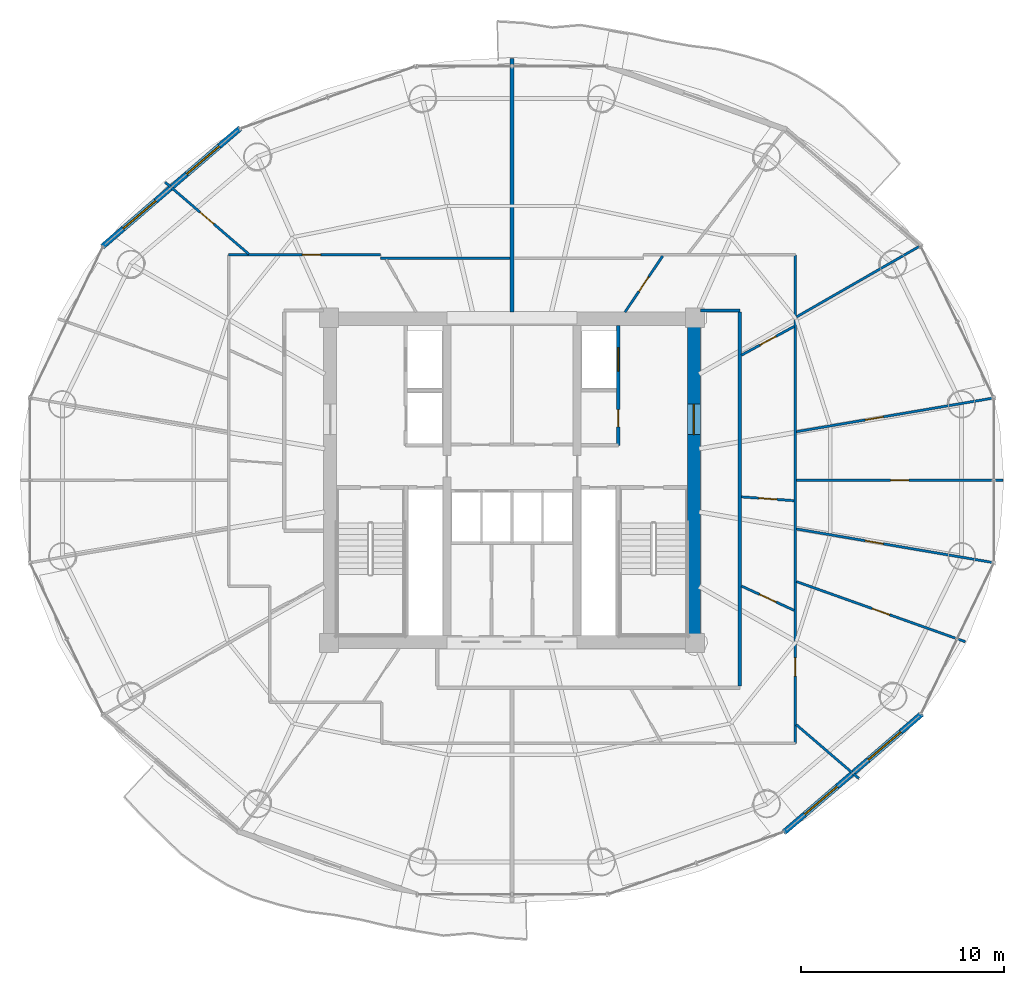
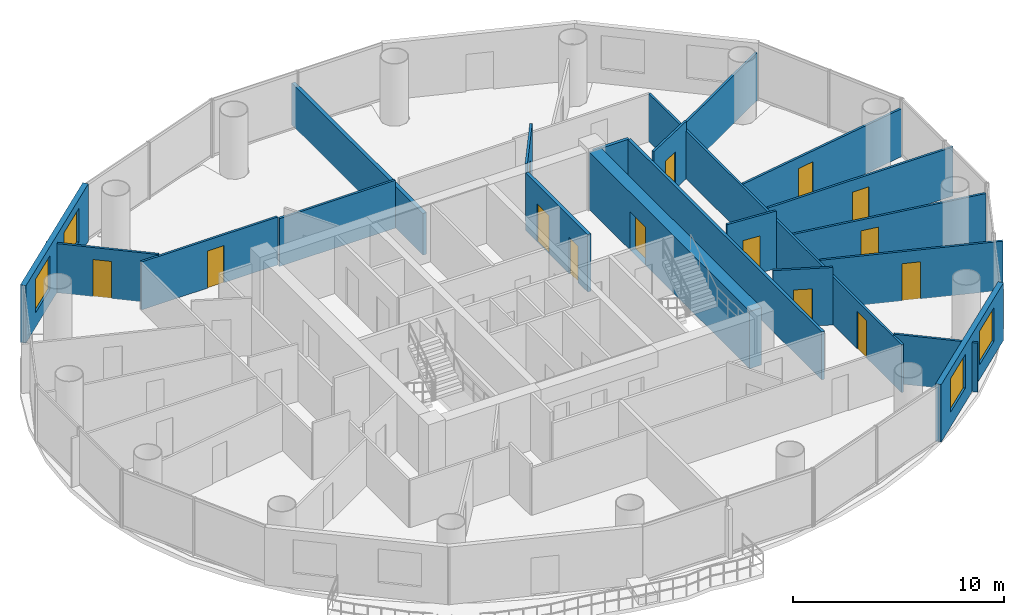
# One storey, part 22 of 26: 21 walls, 14 doors, 4 windows, 18 openings.
"""IFC4 building model written with IfcOpenShell, lengths in metres."""

from ifc_helpers import new_model, si_unit, direction, frame, frame_2d, origin, place, context, subcontext, project, spatial, rectangle, extrude, source, transform, mapped, material, layer, layer_set, type_object, element, fill, save


model = new_model("IFC4")

# Units and contexts
model_context = context("Model", 3, precision=1e-05, world=origin(), true_north=direction((-0.2419218956, 0.970295726276)))
body_context = subcontext(model_context, "Body", "Model", "MODEL_VIEW")
ifc_project = project(units=[si_unit("LENGTHUNIT", "METRE"), si_unit("AREAUNIT", "SQUARE_METRE"), si_unit("VOLUMEUNIT", "CUBIC_METRE"), si_unit("PLANEANGLEUNIT", "RADIAN"), si_unit("MASSUNIT", "GRAM", prefix="KILO")], contexts=[model_context])

# Site, building, storey
site_placement = place(None, origin())
site = spatial("IfcSite", under=ifc_project, at=site_placement, CompositionType="ELEMENT")
building_placement = place(site_placement, origin())
building = spatial("IfcBuilding", under=site, at=building_placement, Name="Cobrevalo Terracotta Tower", CompositionType="ELEMENT")
storey_placement = place(building_placement, frame((0.0, 0.0, 171.39990234375)))
storey = spatial("IfcBuildingStorey", under=building, at=storey_placement, Name="L45", CompositionType="ELEMENT", Elevation=171.39990234375)

# Wall, opening, door
ifc_material_1 = material(Name="Concrete C55", Category="concrete")
ifc_layer_1 = layer(ifc_material_1, 0.64990234375)
ifc_layer_set_1 = layer_set([ifc_layer_1], Name="Concrete C55")
wall_type_1 = type_object("IfcWallType", Name="Core shear wall 650 mm Concrete C55", PredefinedType="SHEAR", material=ifc_layer_set_1)
wall_1_placement = place(storey_placement, frame((46.949951171875, 19.175048828125, 0.0), z_axis=(0.0, 0.0, 1.0), x_axis=(0.0, 1.0, 0.0)))
wall_1 = element("IfcWall", 1, at=wall_1_placement, inside=storey, type_object=wall_type_1, Name="L45 east core shear wall", PredefinedType="SHEAR", context=body_context, shape_type="SweptSolid", body=[
    extrude(rectangle(XDim=15.25, YDim=0.64990234375, at=frame_2d((7.625, 0.0))), origin(), (0.0, 0.0, 1.0), 3.330078125),
])
opening_1_placement = place(wall_1_placement, frame((9.875, 0.0, 0.0)))
opening_1 = element("IfcOpeningElement", 2, at=opening_1_placement, cuts=wall_1, Name="Opening ID-14", PredefinedType="OPENING", context=body_context, shape_type="SweptSolid", body=[
    extrude(rectangle(XDim=1.5, YDim=2.199951171875, at=frame_2d((0.75, 1.10009765625))), frame((0.0, 0.3349609375, 0.0), z_axis=(0.0, -1.0, 0.0), x_axis=(1.0, 0.0, 0.0)), (0.0, 0.0, 1.0), 0.669921875),
])
ifc_material_2 = material(Name="Galvanized fire-rated steel", Category="steel")
door_type_1 = type_object("IfcDoorType", Name="Core cross-lobby double fire door 1500x2200 EI 90", OperationType="NOTDEFINED", PredefinedType="DOOR", material=ifc_material_2)
shared_shape_1 = source(origin(), body_context, "Body", "SweptSolid", [
    extrude(rectangle(XDim=1.5, YDim=2.199951171875, at=frame_2d((0.75, 1.10009765625))), frame((0.0, 0.02490234375, 0.0), z_axis=(0.0, -1.0, 0.0), x_axis=(1.0, 0.0, 0.0)), (0.0, 0.0, 1.0), 0.050048828125),
])
door_1_placement = place(opening_1_placement, frame((1.5, 0.0, 0.0), z_axis=(0.0, 0.0, 1.0), x_axis=(-1.0, 0.0, 0.0)))
door_1 = element("IfcDoor", 3, at=door_1_placement, inside=storey, type_object=door_type_1, Name="L45 east firefighting lobby entrance door", OperationType="DOUBLE_DOOR_SINGLE_SWING", OverallHeight=2.199951171875, OverallWidth=1.5, PredefinedType="DOOR", context=body_context, shape_type="MappedRepresentation", body=[
    mapped(shared_shape_1, transform((0.0, 0.0, 0.0), scale=1.0)),
])
fill(opening_1, door_1)

# Walls
ifc_material_3 = material(Name="Gypsum board on steel stud", Category="steel")
ifc_layer_2 = layer(ifc_material_3, 0.159912109375)
ifc_layer_set_2 = layer_set([ifc_layer_2], Name="Gypsum board on steel stud")
wall_type_2 = type_object("IfcWallType", Name="Fire-rated corridor acoustic partition wall 160 mm", PredefinedType="PARTITIONING", material=ifc_layer_set_2)
wall_2_placement = place(storey_placement, frame((49.205078125, 16.675048828125, 0.0), z_axis=(0.0, 0.0, 1.0), x_axis=(0.0, 1.0, 0.0)))
element("IfcWall", 4, at=wall_2_placement, inside=storey, type_object=wall_type_2, Name="L45 interior partition IW-L45-COR-E", PredefinedType="PARTITIONING", context=body_context, shape_type="SweptSolid", body=[
    extrude(rectangle(XDim=18.39990234375, YDim=0.159912109375, at=frame_2d((9.199951171875, 0.0))), origin(), (0.0, 0.0, 1.0), 2.776123046875),
])
wall_3_placement = place(storey_placement, frame((47.27490234375, 35.155029296875, 0.0), z_axis=(0.0, 0.0, 1.0), x_axis=(1.0, 0.0, 0.0)))
element("IfcWall", 5, at=wall_3_placement, inside=storey, type_object=wall_type_2, Name="L45 interior partition IW-L45-COR-EN-CAP", PredefinedType="PARTITIONING", context=body_context, shape_type="SweptSolid", body=[
    extrude(rectangle(XDim=1.93017578125, YDim=0.159912109375, at=frame_2d((0.965087890625, 0.0))), origin(), (0.0, 0.0, 1.0), 2.776123046875),
])

# Wall, openings, doors
ifc_layer_3 = layer(ifc_material_3, 0.179931640625)
ifc_layer_set_3 = layer_set([ifc_layer_3], Name="Gypsum board on steel stud")
wall_type_3 = type_object("IfcWallType", Name="Fire-rated shaft & lobby acoustic partition wall 180 mm", PredefinedType="PARTITIONING", material=ifc_layer_set_3)
wall_4_placement = place(storey_placement, frame((43.22998046875, 28.52001953125, 0.0), z_axis=(0.0, 0.0, 1.0), x_axis=(0.0, 1.0, 0.0)))
wall_4 = element("IfcWall", 6, at=wall_4_placement, inside=storey, type_object=wall_type_3, Name="L45 interior partition IW-L45-FF2-E", PredefinedType="PARTITIONING", context=body_context, shape_type="SweptSolid", body=[
    extrude(rectangle(XDim=5.905029296875, YDim=0.179931640625, at=frame_2d((2.95263671875, 0.0))), origin(), (0.0, 0.0, 1.0), 3.330078125),
])
opening_2_placement = place(wall_4_placement, frame((0.905029296875, 0.0, 0.0)))
opening_2 = element("IfcOpeningElement", 7, at=opening_2_placement, cuts=wall_4, Name="Opening ID-22", PredefinedType="OPENING", context=body_context, shape_type="SweptSolid", body=[
    extrude(rectangle(XDim=0.85009765625, YDim=2.10009765625, at=frame_2d((0.425048828125, 1.050048828125))), frame((0.0, 0.10009765625, 0.0), z_axis=(0.0, -1.0, 0.0), x_axis=(1.0, 0.0, 0.0)), (0.0, 0.0, 1.0), 0.199951171875),
])
opening_3_placement = place(wall_4_placement, frame((3.655029296875, 0.0, 0.0)))
opening_3 = element("IfcOpeningElement", 8, at=opening_3_placement, cuts=wall_4, Name="Opening LD-02", PredefinedType="OPENING", context=body_context, shape_type="SweptSolid", body=[
    extrude(rectangle(XDim=1.14990234375, YDim=2.199951171875, at=frame_2d((0.574951171875, 1.10009765625))), frame((0.0, 0.10009765625, 0.0), z_axis=(0.0, -1.0, 0.0), x_axis=(1.0, 0.0, 0.0)), (0.0, 0.0, 1.0), 0.199951171875),
])
ifc_material_4 = material(Name="Powder-coated steel", Category="steel")
door_type_2 = type_object("IfcDoorType", Name="Riser shaft & meter closet fire access door 850x2100 EI 60", OperationType="NOTDEFINED", PredefinedType="DOOR", material=ifc_material_4)
shared_shape_2 = source(origin(), body_context, "Body", "SweptSolid", [
    extrude(rectangle(XDim=0.85009765625, YDim=2.10009765625, at=frame_2d((0.425048828125, 1.050048828125))), frame((0.0, 0.02490234375, 0.0), z_axis=(0.0, -1.0, 0.0), x_axis=(1.0, 0.0, 0.0)), (0.0, 0.0, 1.0), 0.050048828125),
])
door_2_placement = place(opening_2_placement, frame((0.85009765625, 0.0, 0.0), z_axis=(0.0, 0.0, 1.0), x_axis=(-1.0, 0.0, 0.0)))
door_2 = element("IfcDoor", 9, at=door_2_placement, inside=storey, type_object=door_type_2, Name="L45 housekeeping store door", OperationType="SINGLE_SWING_RIGHT", OverallHeight=2.10009765625, OverallWidth=0.85009765625, PredefinedType="DOOR", context=body_context, shape_type="MappedRepresentation", body=[
    mapped(shared_shape_2, transform((0.0, 0.0, 0.0), scale=1.0)),
])
fill(opening_2, door_2)
ifc_material_5 = material(Name="Brushed stainless steel", Category="steel")
door_type_3 = type_object("IfcDoorType", Name="Firefighting lift landing bi-parting sliding door 1150x2200 EI 120", OperationType="DOUBLE_DOOR_SLIDING", PredefinedType="DOOR", material=ifc_material_5)
shared_shape_3 = source(origin(), body_context, "Body", "SweptSolid", [
    extrude(rectangle(XDim=1.14990234375, YDim=2.199951171875, at=frame_2d((0.574951171875, 1.10009765625))), frame((0.0, 0.02490234375, 0.0), z_axis=(0.0, -1.0, 0.0), x_axis=(1.0, 0.0, 0.0)), (0.0, 0.0, 1.0), 0.050048828125),
])
door_3_placement = place(opening_3_placement, origin())
door_3 = element("IfcDoor", 10, at=door_3_placement, inside=storey, type_object=door_type_3, Name="L45 lift landing door FF-2", OperationType="DOUBLE_DOOR_SLIDING", OverallHeight=2.199951171875, OverallWidth=1.14990234375, PredefinedType="DOOR", context=body_context, shape_type="MappedRepresentation", body=[
    mapped(shared_shape_3, transform((0.0, 0.0, 0.0), scale=1.0)),
])
fill(opening_3, door_3)

# Wall
ifc_material_6 = material(Name="Autoclaved aerated concrete block", Category="concrete")
ifc_layer_4 = layer(ifc_material_6, 0.199951171875)
ifc_layer_set_4 = layer_set([ifc_layer_4], Name="Autoclaved aerated concrete block")
wall_type_4 = type_object("IfcWallType", Name="Fire-rated stair, shaft & demising masonry wall 200 mm", PredefinedType="PARTITIONING", material=ifc_layer_set_4)
wall_5_placement = place(storey_placement, frame((38.0, 35.074951171875, 0.0), z_axis=(0.0, 0.0, 1.0), x_axis=(0.0, 1.0, 0.0)))
element("IfcWall", 11, at=wall_5_placement, inside=storey, type_object=wall_type_4, Name="L45 interior partition IW-L45-DEM-1", PredefinedType="PARTITIONING", context=body_context, shape_type="SweptSolid", body=[
    extrude(rectangle(XDim=12.465087890625, YDim=0.199951171875, at=frame_2d((6.232421875, 0.0))), origin(), (0.0, 0.0, 1.0), 2.4150390625),
])

# Wall, openings, windows
ifc_layer_5 = layer(ifc_material_6, 0.280029296875)
ifc_layer_set_5 = layer_set([ifc_layer_5], Name="Autoclaved aerated concrete block")
wall_type_5 = type_object("IfcWallType", Name="Insulated tower spandrel & pier wall 280 mm with terracotta rainscreen", PredefinedType="SOLIDWALL", material=ifc_layer_set_5)
wall_6_placement = place(storey_placement, frame((24.632568359375, 44.121826171875, 0.0), z_axis=(0.0, 0.0, 1.0), x_axis=(-0.75843401647, -0.651749831348, 0.0)))
wall_6 = element("IfcWall", 12, at=wall_6_placement, inside=storey, type_object=wall_type_5, Name="L45 terracotta rainscreen pier wall S06", PredefinedType="SOLIDWALL", context=body_context, shape_type="SweptSolid", body=[
    extrude(rectangle(XDim=8.952392578125, YDim=0.280029296875, at=frame_2d((4.47607421875, 0.0))), origin(), (0.0, 0.0, 1.0), 3.330078125),
])
opening_4_placement = place(wall_6_placement, frame((1.3671875, 0.0, 0.85009765625)))
opening_4 = element("IfcOpeningElement", 13, at=opening_4_placement, cuts=wall_6, Name="Opening WN-10", PredefinedType="OPENING", context=body_context, shape_type="SweptSolid", body=[
    extrude(rectangle(XDim=2.10009765625, YDim=1.949951171875, at=frame_2d((1.050048828125, 0.97509765625))), frame((0.0, 0.14990234375, 0.0), z_axis=(0.0, -1.0, 0.0), x_axis=(1.0, 0.0, 0.0)), (0.0, 0.0, 1.0), 0.300048828125),
])
opening_5_placement = place(wall_6_placement, frame((5.4853515625, 0.0, 0.85009765625)))
opening_5 = element("IfcOpeningElement", 14, at=opening_5_placement, cuts=wall_6, Name="Opening WN-10", PredefinedType="OPENING", context=body_context, shape_type="SweptSolid", body=[
    extrude(rectangle(XDim=2.10009765625, YDim=1.949951171875, at=frame_2d((1.050048828125, 0.97509765625))), frame((0.0, 0.14990234375, 0.0), z_axis=(0.0, -1.0, 0.0), x_axis=(1.0, 0.0, 0.0)), (0.0, 0.0, 1.0), 0.300048828125),
])
ifc_material_7 = material(Name="Solar-control low-E double glazing", Category="glass")
window_type = type_object("IfcWindowType", Name="Wide panoramic low-E aluminium window 2100x1950", PartitioningType="SINGLE_PANEL", PredefinedType="WINDOW", material=ifc_material_7)
shared_shape_4 = source(origin(), body_context, "Body", "SweptSolid", [
    extrude(rectangle(XDim=2.10009765625, YDim=1.949951171875, at=frame_2d((1.050048828125, 0.97509765625))), frame((0.0, 0.030029296875, 0.0), z_axis=(0.0, -1.0, 0.0), x_axis=(1.0, 0.0, 0.0)), (0.0, 0.0, 1.0), 0.06005859375),
])
window_1_placement = place(opening_4_placement, origin())
window_1 = element("IfcWindow", 15, at=window_1_placement, inside=storey, type_object=window_type, Name="L45 suite window S06A", OverallHeight=1.949951171875, OverallWidth=2.10009765625, PartitioningType="SINGLE_PANEL", PredefinedType="WINDOW", context=body_context, shape_type="MappedRepresentation", body=[
    mapped(shared_shape_4, transform((0.0, 0.0, 0.0), scale=1.0)),
])
fill(opening_4, window_1)
window_2_placement = place(opening_5_placement, origin())
window_2 = element("IfcWindow", 16, at=window_2_placement, inside=storey, type_object=window_type, Name="L45 suite window S06B", OverallHeight=1.949951171875, OverallWidth=2.10009765625, PartitioningType="SINGLE_PANEL", PredefinedType="WINDOW", context=body_context, shape_type="MappedRepresentation", body=[
    mapped(shared_shape_4, transform((0.0, 0.0, 0.0), scale=1.0)),
])
fill(opening_5, window_2)

wall_7_placement = place(storey_placement, frame((51.367431640625, 9.478271484375, 0.0), z_axis=(0.0, 0.0, 1.0), x_axis=(0.75843401647, 0.651749831348, 0.0)))
wall_7 = element("IfcWall", 17, at=wall_7_placement, inside=storey, type_object=wall_type_5, Name="L45 terracotta rainscreen pier wall S14", PredefinedType="SOLIDWALL", context=body_context, shape_type="SweptSolid", body=[
    extrude(rectangle(XDim=8.952392578125, YDim=0.280029296875, at=frame_2d((4.47607421875, 0.0))), origin(), (0.0, 0.0, 1.0), 3.330078125),
])
opening_6_placement = place(wall_7_placement, frame((1.3671875, 0.0, 0.85009765625)))
opening_6 = element("IfcOpeningElement", 18, at=opening_6_placement, cuts=wall_7, Name="Opening WN-10", PredefinedType="OPENING", context=body_context, shape_type="SweptSolid", body=[
    extrude(rectangle(XDim=2.10009765625, YDim=1.949951171875, at=frame_2d((1.050048828125, 0.97509765625))), frame((0.0, 0.14990234375, 0.0), z_axis=(0.0, -1.0, 0.0), x_axis=(1.0, 0.0, 0.0)), (0.0, 0.0, 1.0), 0.300048828125),
])
opening_7_placement = place(wall_7_placement, frame((5.4853515625, 0.0, 0.85009765625)))
opening_7 = element("IfcOpeningElement", 19, at=opening_7_placement, cuts=wall_7, Name="Opening WN-10", PredefinedType="OPENING", context=body_context, shape_type="SweptSolid", body=[
    extrude(rectangle(XDim=2.10009765625, YDim=1.949951171875, at=frame_2d((1.050048828125, 0.97509765625))), frame((0.0, 0.14990234375, 0.0), z_axis=(0.0, -1.0, 0.0), x_axis=(1.0, 0.0, 0.0)), (0.0, 0.0, 1.0), 0.300048828125),
])
window_3_placement = place(opening_6_placement, origin())
window_3 = element("IfcWindow", 20, at=window_3_placement, inside=storey, type_object=window_type, Name="L45 suite window S14A", OverallHeight=1.949951171875, OverallWidth=2.10009765625, PartitioningType="SINGLE_PANEL", PredefinedType="WINDOW", context=body_context, shape_type="MappedRepresentation", body=[
    mapped(shared_shape_4, transform((0.0, 0.0, 0.0), scale=1.0)),
])
fill(opening_6, window_3)
window_4_placement = place(opening_7_placement, origin())
window_4 = element("IfcWindow", 21, at=window_4_placement, inside=storey, type_object=window_type, Name="L45 suite window S14B", OverallHeight=1.949951171875, OverallWidth=2.10009765625, PartitioningType="SINGLE_PANEL", PredefinedType="WINDOW", context=body_context, shape_type="MappedRepresentation", body=[
    mapped(shared_shape_4, transform((0.0, 0.0, 0.0), scale=1.0)),
])
fill(opening_7, window_4)

# Wall, opening, door
ifc_layer_6 = layer(ifc_material_3, 0.1201171875)
ifc_layer_set_6 = layer_set([ifc_layer_6], Name="Gypsum board on steel stud")
wall_type_6 = type_object("IfcWallType", Name="Residential internal acoustic stud partition 120 mm", PredefinedType="PARTITIONING", material=ifc_layer_set_6)
wall_8_placement = place(storey_placement, frame((24.06494140625, 37.885009765625, 0.0), z_axis=(0.0, 0.0, 1.0), x_axis=(1.0, 0.0, 0.0)))
wall_8 = element("IfcWall", 22, at=wall_8_placement, inside=storey, type_object=wall_type_6, Name="L45 interior partition IW-L45-U1-RING6_0", PredefinedType="PARTITIONING", context=body_context, shape_type="SweptSolid", body=[
    extrude(rectangle(XDim=7.469970703125, YDim=0.1201171875, at=frame_2d((3.73486328125, 0.0))), origin(), (0.0, 0.0, 1.0), 2.776123046875),
])
opening_8_placement = place(wall_8_placement, frame((3.619873046875, 0.0, 0.0)))
opening_8 = element("IfcOpeningElement", 23, at=opening_8_placement, cuts=wall_8, Name="Opening ID-12", PredefinedType="OPENING", context=body_context, shape_type="SweptSolid", body=[
    extrude(rectangle(XDim=0.89990234375, YDim=2.14990234375, at=frame_2d((0.449951171875, 1.074951171875))), frame((0.0, 0.070068359375, 0.0), z_axis=(0.0, -1.0, 0.0), x_axis=(1.0, 0.0, 0.0)), (0.0, 0.0, 1.0), 0.14013671875),
])
ifc_material_8 = material(Name="Engineered timber", Category="wood")
door_type_4 = type_object("IfcDoorType", Name="Internal residence & suite timber door 900x2150", OperationType="NOTDEFINED", PredefinedType="DOOR", material=ifc_material_8)
shared_shape_5 = source(origin(), body_context, "Body", "SweptSolid", [
    extrude(rectangle(XDim=0.89990234375, YDim=2.14990234375, at=frame_2d((0.449951171875, 1.074951171875))), frame((0.0, 0.02490234375, 0.0), z_axis=(0.0, -1.0, 0.0), x_axis=(1.0, 0.0, 0.0)), (0.0, 0.0, 1.0), 0.050048828125),
])
door_4_placement = place(opening_8_placement, origin())
door_4 = element("IfcDoor", 24, at=door_4_placement, inside=storey, type_object=door_type_4, Name="Flat L45A Penthouse Living and Dining Room internal door", OperationType="SINGLE_SWING_LEFT", OverallHeight=2.14990234375, OverallWidth=0.89990234375, PredefinedType="DOOR", context=body_context, shape_type="MappedRepresentation", body=[
    mapped(shared_shape_5, transform((0.0, 0.0, 0.0), scale=1.0)),
])
fill(opening_8, door_4)

# Wall
wall_9_placement = place(storey_placement, frame((31.534912109375, 37.72509765625, 0.0), z_axis=(0.0, 0.0, 1.0), x_axis=(1.0, 0.0, 0.0)))
element("IfcWall", 25, at=wall_9_placement, inside=storey, type_object=wall_type_6, Name="L45 interior partition IW-L45-U1-RING8_0", PredefinedType="PARTITIONING", context=body_context, shape_type="SweptSolid", body=[
    extrude(rectangle(XDim=6.363037109375, YDim=0.1201171875, at=frame_2d((3.181640625, 0.0))), origin(), (0.0, 0.0, 1.0), 2.776123046875),
])

# Wall, opening, door
wall_10_placement = place(storey_placement, frame((25.055908203125, 37.92529296875, 0.0), z_axis=(0.0, 0.0, 1.0), x_axis=(-0.758354915574, 0.65184186888, 0.0)))
wall_10 = element("IfcWall", 26, at=wall_10_placement, inside=storey, type_object=wall_type_6, Name="L45 interior partition IW-L45-U1-ORAD1", PredefinedType="PARTITIONING", context=body_context, shape_type="SweptSolid", body=[
    extrude(rectangle(XDim=5.432373046875, YDim=0.1201171875, at=frame_2d((2.71630859375, 0.0))), origin(), (0.0, 0.0, 1.0), 2.84619140625),
])
opening_9_placement = place(wall_10_placement, frame((2.26611328125, 0.0, 0.0)))
opening_9 = element("IfcOpeningElement", 27, at=opening_9_placement, cuts=wall_10, Name="Opening ID-12", PredefinedType="OPENING", context=body_context, shape_type="SweptSolid", body=[
    extrude(rectangle(XDim=0.89990234375, YDim=2.14990234375, at=frame_2d((0.449951171875, 1.074951171875))), frame((0.0, 0.070068359375, 0.0), z_axis=(0.0, -1.0, 0.0), x_axis=(1.0, 0.0, 0.0)), (0.0, 0.0, 1.0), 0.14013671875),
])
door_5_placement = place(opening_9_placement, origin())
door_5 = element("IfcDoor", 28, at=door_5_placement, inside=storey, type_object=door_type_4, Name="Flat L45A Master Bedroom internal door", OperationType="SINGLE_SWING_RIGHT", OverallHeight=2.14990234375, OverallWidth=0.89990234375, PredefinedType="DOOR", context=body_context, shape_type="MappedRepresentation", body=[
    mapped(shared_shape_5, transform((0.0, 0.0, 0.0), scale=1.0)),
])
fill(opening_9, door_5)

wall_11_placement = place(storey_placement, frame((51.93505859375, 37.885009765625, 0.0), z_axis=(0.0, 0.0, 1.0), x_axis=(0.0, -1.0, 0.0)))
wall_11 = element("IfcWall", 29, at=wall_11_placement, inside=storey, type_object=wall_type_6, Name="L45 interior partition IW-L45-U2-RING3_0", PredefinedType="PARTITIONING", context=body_context, shape_type="SweptSolid", body=[
    extrude(rectangle(XDim=24.02001953125, YDim=0.1201171875, at=frame_2d((12.010009765625, 0.0))), origin(), (0.0, 0.0, 1.0), 2.776123046875),
])
opening_10_placement = place(wall_11_placement, frame((19.82080078125, 0.0, 0.0)))
opening_10 = element("IfcOpeningElement", 30, at=opening_10_placement, cuts=wall_11, Name="Opening ID-12", PredefinedType="OPENING", context=body_context, shape_type="SweptSolid", body=[
    extrude(rectangle(XDim=0.89990234375, YDim=2.14990234375, at=frame_2d((0.449951171875, 1.074951171875))), frame((0.0, 0.070068359375, 0.0), z_axis=(0.0, -1.0, 0.0), x_axis=(1.0, 0.0, 0.0)), (0.0, 0.0, 1.0), 0.14013671875),
])
door_6_placement = place(opening_10_placement, origin())
door_6 = element("IfcDoor", 31, at=door_6_placement, inside=storey, type_object=door_type_4, Name="Flat L45B Master Bedroom internal door", OperationType="SINGLE_SWING_RIGHT", OverallHeight=2.14990234375, OverallWidth=0.89990234375, PredefinedType="DOOR", context=body_context, shape_type="MappedRepresentation", body=[
    mapped(shared_shape_5, transform((0.0, 0.0, 0.0), scale=1.0)),
])
fill(opening_10, door_6)

# Wall
wall_12_placement = place(storey_placement, frame((51.98193359375, 14.782470703125, 0.0), z_axis=(0.0, 0.0, 1.0), x_axis=(0.758356837469, -0.651839632935, 0.0)))
element("IfcWall", 32, at=wall_12_placement, inside=storey, type_object=wall_type_6, Name="L45 interior partition IW-L45-U2-ORAD1", PredefinedType="PARTITIONING", context=body_context, shape_type="SweptSolid", body=[
    extrude(rectangle(XDim=4.063720703125, YDim=0.1201171875, at=frame_2d((2.03173828125, 0.0))), origin(), (0.0, 0.0, 1.0), 2.84619140625),
])

# Wall, opening, door
wall_13_placement = place(storey_placement, frame((51.993408203125, 21.818115234375, 0.0), z_axis=(0.0, 0.0, 1.0), x_axis=(0.942077868165, -0.335394231187, 0.0)))
wall_13 = element("IfcWall", 33, at=wall_13_placement, inside=storey, type_object=wall_type_6, Name="L45 interior partition IW-L45-U2-ORAD2", PredefinedType="PARTITIONING", context=body_context, shape_type="SweptSolid", body=[
    extrude(rectangle(XDim=8.816650390625, YDim=0.1201171875, at=frame_2d((4.408203125, 0.0))), origin(), (0.0, 0.0, 1.0), 2.84619140625),
])
opening_11_placement = place(wall_13_placement, frame((3.95849609375, 0.0, 0.0)))
opening_11 = element("IfcOpeningElement", 34, at=opening_11_placement, cuts=wall_13, Name="Opening ID-12", PredefinedType="OPENING", context=body_context, shape_type="SweptSolid", body=[
    extrude(rectangle(XDim=0.89990234375, YDim=2.14990234375, at=frame_2d((0.449951171875, 1.074951171875))), frame((0.0, 0.070068359375, 0.0), z_axis=(0.0, -1.0, 0.0), x_axis=(1.0, 0.0, 0.0)), (0.0, 0.0, 1.0), 0.14013671875),
])
door_7_placement = place(opening_11_placement, origin())
door_7 = element("IfcDoor", 35, at=door_7_placement, inside=storey, type_object=door_type_4, Name="Flat L45B Principal Guest Bedroom internal door", OperationType="SINGLE_SWING_LEFT", OverallHeight=2.14990234375, OverallWidth=0.89990234375, PredefinedType="DOOR", context=body_context, shape_type="MappedRepresentation", body=[
    mapped(shared_shape_5, transform((0.0, 0.0, 0.0), scale=1.0)),
])
fill(opening_11, door_7)

wall_14_placement = place(storey_placement, frame((51.99609375, 24.4072265625, 0.0), z_axis=(0.0, 0.0, 1.0), x_axis=(0.985698378271, -0.168519159369, 0.0)))
wall_14 = element("IfcWall", 36, at=wall_14_placement, inside=storey, type_object=wall_type_6, Name="L45 interior partition IW-L45-U2-ORAD3M1", PredefinedType="PARTITIONING", context=body_context, shape_type="SweptSolid", body=[
    extrude(rectangle(XDim=9.768798828125, YDim=0.1201171875, at=frame_2d((4.88427734375, 0.0))), origin(), (0.0, 0.0, 1.0), 2.776123046875),
])
opening_12_placement = place(wall_14_placement, frame((3.427734375, 0.0, 0.0)))
opening_12 = element("IfcOpeningElement", 37, at=opening_12_placement, cuts=wall_14, Name="Opening ID-12", PredefinedType="OPENING", context=body_context, shape_type="SweptSolid", body=[
    extrude(rectangle(XDim=0.89990234375, YDim=2.14990234375, at=frame_2d((0.449951171875, 1.074951171875))), frame((0.0, 0.070068359375, 0.0), z_axis=(0.0, -1.0, 0.0), x_axis=(1.0, 0.0, 0.0)), (0.0, 0.0, 1.0), 0.14013671875),
])
door_8_placement = place(opening_12_placement, origin())
door_8 = element("IfcDoor", 38, at=door_8_placement, inside=storey, type_object=door_type_4, Name="Flat L45B North Bedroom internal door", OperationType="SINGLE_SWING_RIGHT", OverallHeight=2.14990234375, OverallWidth=0.89990234375, PredefinedType="DOOR", context=body_context, shape_type="MappedRepresentation", body=[
    mapped(shared_shape_5, transform((0.0, 0.0, 0.0), scale=1.0)),
])
fill(opening_12, door_8)

wall_15_placement = place(storey_placement, frame((51.9970703125, 26.800048828125, 0.0), z_axis=(0.0, 0.0, 1.0), x_axis=(1.0, 0.0, 0.0)))
wall_15 = element("IfcWall", 39, at=wall_15_placement, inside=storey, type_object=wall_type_6, Name="L45 interior partition IW-L45-U2-ORAD3", PredefinedType="PARTITIONING", context=body_context, shape_type="SweptSolid", body=[
    extrude(rectangle(XDim=10.142822265625, YDim=0.1201171875, at=frame_2d((5.0712890625, 0.0))), origin(), (0.0, 0.0, 1.0), 2.84619140625),
])
opening_13_placement = place(wall_15_placement, frame((4.62158203125, 0.0, 0.0)))
opening_13 = element("IfcOpeningElement", 40, at=opening_13_placement, cuts=wall_15, Name="Opening ID-12", PredefinedType="OPENING", context=body_context, shape_type="SweptSolid", body=[
    extrude(rectangle(XDim=0.89990234375, YDim=2.14990234375, at=frame_2d((0.449951171875, 1.074951171875))), frame((0.0, 0.070068359375, 0.0), z_axis=(0.0, -1.0, 0.0), x_axis=(1.0, 0.0, 0.0)), (0.0, 0.0, 1.0), 0.14013671875),
])
door_9_placement = place(opening_13_placement, origin())
door_9 = element("IfcDoor", 41, at=door_9_placement, inside=storey, type_object=door_type_4, Name="Flat L45B South Bedroom internal door", OperationType="SINGLE_SWING_LEFT", OverallHeight=2.14990234375, OverallWidth=0.89990234375, PredefinedType="DOOR", context=body_context, shape_type="MappedRepresentation", body=[
    mapped(shared_shape_5, transform((0.0, 0.0, 0.0), scale=1.0)),
])
fill(opening_13, door_9)

wall_16_placement = place(storey_placement, frame((51.99609375, 29.19287109375, 0.0), z_axis=(0.0, 0.0, 1.0), x_axis=(0.985698378271, 0.168519159369, 0.0)))
wall_16 = element("IfcWall", 42, at=wall_16_placement, inside=storey, type_object=wall_type_6, Name="L45 interior partition IW-L45-U2-ORAD4M1", PredefinedType="PARTITIONING", context=body_context, shape_type="SweptSolid", body=[
    extrude(rectangle(XDim=9.768798828125, YDim=0.1201171875, at=frame_2d((4.88427734375, 0.0))), origin(), (0.0, 0.0, 1.0), 2.776123046875),
])
opening_14_placement = place(wall_16_placement, frame((3.42822265625, 0.0, 0.0)))
opening_14 = element("IfcOpeningElement", 43, at=opening_14_placement, cuts=wall_16, Name="Opening ID-12", PredefinedType="OPENING", context=body_context, shape_type="SweptSolid", body=[
    extrude(rectangle(XDim=0.89990234375, YDim=2.14990234375, at=frame_2d((0.449951171875, 1.074951171875))), frame((0.0, 0.070068359375, 0.0), z_axis=(0.0, -1.0, 0.0), x_axis=(1.0, 0.0, 0.0)), (0.0, 0.0, 1.0), 0.14013671875),
])
door_10_placement = place(opening_14_placement, origin())
door_10 = element("IfcDoor", 44, at=door_10_placement, inside=storey, type_object=door_type_4, Name="Flat L45B Penthouse Family Lounge internal door", OperationType="SINGLE_SWING_RIGHT", OverallHeight=2.14990234375, OverallWidth=0.89990234375, PredefinedType="DOOR", context=body_context, shape_type="MappedRepresentation", body=[
    mapped(shared_shape_5, transform((0.0, 0.0, 0.0), scale=1.0)),
])
fill(opening_14, door_10)

# Wall
wall_17_placement = place(storey_placement, frame((51.98876953125, 34.833740234375, 0.0), z_axis=(0.0, 0.0, 1.0), x_axis=(0.86717064002, 0.498011125466, 0.0)))
element("IfcWall", 45, at=wall_17_placement, inside=storey, type_object=wall_type_6, Name="L45 interior partition IW-L45-U2-ORAD4", PredefinedType="PARTITIONING", context=body_context, shape_type="SweptSolid", body=[
    extrude(rectangle(XDim=6.961181640625, YDim=0.1201171875, at=frame_2d((3.48046875, 0.0))), origin(), (0.0, 0.0, 1.0), 2.776123046875),
])

# Wall, opening, door
wall_18_placement = place(storey_placement, frame((49.286865234375, 21.598388671875, 0.0), z_axis=(0.0, 0.0, 1.0), x_axis=(0.908177096136, -0.418586146514, 0.0)))
wall_18 = element("IfcWall", 46, at=wall_18_placement, inside=storey, type_object=wall_type_6, Name="L45 interior partition IW-L45-U2-IRAD2", PredefinedType="PARTITIONING", context=body_context, shape_type="SweptSolid", body=[
    extrude(rectangle(XDim=2.853759765625, YDim=0.1201171875, at=frame_2d((1.4267578125, 0.0))), origin(), (0.0, 0.0, 1.0), 3.330078125),
])
opening_15_placement = place(wall_18_placement, frame((0.976806640625, 0.0, 0.0)))
opening_15 = element("IfcOpeningElement", 47, at=opening_15_placement, cuts=wall_18, Name="Opening ID-12", PredefinedType="OPENING", context=body_context, shape_type="SweptSolid", body=[
    extrude(rectangle(XDim=0.89990234375, YDim=2.14990234375, at=frame_2d((0.449951171875, 1.074951171875))), frame((0.0, 0.070068359375, 0.0), z_axis=(0.0, -1.0, 0.0), x_axis=(1.0, 0.0, 0.0)), (0.0, 0.0, 1.0), 0.14013671875),
])
door_11_placement = place(opening_15_placement, origin())
door_11 = element("IfcDoor", 48, at=door_11_placement, inside=storey, type_object=door_type_4, Name="Flat L45B Kitchen internal door", OperationType="SINGLE_SWING_RIGHT", OverallHeight=2.14990234375, OverallWidth=0.89990234375, PredefinedType="DOOR", context=body_context, shape_type="MappedRepresentation", body=[
    mapped(shared_shape_5, transform((0.0, 0.0, 0.0), scale=1.0)),
])
fill(opening_15, door_11)

wall_19_placement = place(storey_placement, frame((49.287109375, 25.9853515625, 0.0), z_axis=(0.0, 0.0, 1.0), x_axis=(0.997408744903, -0.07194300237, 0.0)))
wall_19 = element("IfcWall", 49, at=wall_19_placement, inside=storey, type_object=wall_type_6, Name="L45 interior partition IW-L45-U2-IRAD3", PredefinedType="PARTITIONING", context=body_context, shape_type="SweptSolid", body=[
    extrude(rectangle(XDim=2.5927734375, YDim=0.1201171875, at=frame_2d((1.29638671875, 0.0))), origin(), (0.0, 0.0, 1.0), 3.330078125),
])
opening_16_placement = place(wall_19_placement, frame((0.846435546875, 0.0, 0.0)))
opening_16 = element("IfcOpeningElement", 50, at=opening_16_placement, cuts=wall_19, Name="Opening ID-12", PredefinedType="OPENING", context=body_context, shape_type="SweptSolid", body=[
    extrude(rectangle(XDim=0.89990234375, YDim=2.14990234375, at=frame_2d((0.449951171875, 1.074951171875))), frame((0.0, 0.070068359375, 0.0), z_axis=(0.0, -1.0, 0.0), x_axis=(1.0, 0.0, 0.0)), (0.0, 0.0, 1.0), 0.14013671875),
])
door_12_placement = place(opening_16_placement, origin())
door_12 = element("IfcDoor", 51, at=door_12_placement, inside=storey, type_object=door_type_4, Name="Flat L45B Private Library Meeting Room internal door", OperationType="SINGLE_SWING_LEFT", OverallHeight=2.14990234375, OverallWidth=0.89990234375, PredefinedType="DOOR", context=body_context, shape_type="MappedRepresentation", body=[
    mapped(shared_shape_5, transform((0.0, 0.0, 0.0), scale=1.0)),
])
fill(opening_16, door_12)

wall_20_placement = place(storey_placement, frame((49.286865234375, 32.95654296875, 0.0), z_axis=(0.0, 0.0, 1.0), x_axis=(0.877892414948, 0.47885792024, 0.0)))
wall_20 = element("IfcWall", 52, at=wall_20_placement, inside=storey, type_object=wall_type_6, Name="L45 interior partition IW-L45-U2-IRAD4", PredefinedType="PARTITIONING", context=body_context, shape_type="SweptSolid", body=[
    extrude(rectangle(XDim=2.95458984375, YDim=0.1201171875, at=frame_2d((1.477294921875, 0.0))), origin(), (0.0, 0.0, 1.0), 3.330078125),
])
opening_17_placement = place(wall_20_placement, frame((1.02734375, 0.0, 0.0)))
opening_17 = element("IfcOpeningElement", 53, at=opening_17_placement, cuts=wall_20, Name="Opening ID-12", PredefinedType="OPENING", context=body_context, shape_type="SweptSolid", body=[
    extrude(rectangle(XDim=0.89990234375, YDim=2.14990234375, at=frame_2d((0.449951171875, 1.074951171875))), frame((0.0, 0.070068359375, 0.0), z_axis=(0.0, -1.0, 0.0), x_axis=(1.0, 0.0, 0.0)), (0.0, 0.0, 1.0), 0.14013671875),
])
door_13_placement = place(opening_17_placement, origin())
door_13 = element("IfcDoor", 54, at=door_13_placement, inside=storey, type_object=door_type_4, Name="Flat L45B Utility Closet internal door", OperationType="SINGLE_SWING_RIGHT", OverallHeight=2.14990234375, OverallWidth=0.89990234375, PredefinedType="DOOR", context=body_context, shape_type="MappedRepresentation", body=[
    mapped(shared_shape_5, transform((0.0, 0.0, 0.0), scale=1.0)),
])
fill(opening_17, door_13)

wall_21_placement = place(storey_placement, frame((43.55859375, 35.074951171875, 0.0), z_axis=(0.0, 0.0, 1.0), x_axis=(0.557612855606, 0.830101140381, 0.0)))
wall_21 = element("IfcWall", 55, at=wall_21_placement, inside=storey, type_object=wall_type_6, Name="L45 interior partition IW-L45-U2-IRAD5", PredefinedType="PARTITIONING", context=body_context, shape_type="SweptSolid", body=[
    extrude(rectangle(XDim=3.3232421875, YDim=0.1201171875, at=frame_2d((1.66162109375, 0.0))), origin(), (0.0, 0.0, 1.0), 3.330078125),
])
opening_18_placement = place(wall_21_placement, frame((1.231689453125, 0.0, 0.0)))
opening_18 = element("IfcOpeningElement", 56, at=opening_18_placement, cuts=wall_21, Name="Opening ID-19", PredefinedType="OPENING", context=body_context, shape_type="SweptSolid", body=[
    extrude(rectangle(XDim=0.860107421875, YDim=2.14990234375, at=frame_2d((0.43017578125, 1.074951171875))), frame((0.0, 0.070068359375, 0.0), z_axis=(0.0, -1.0, 0.0), x_axis=(1.0, 0.0, 0.0)), (0.0, 0.0, 1.0), 0.14013671875),
])
ifc_material_9 = material(Name="Moisture-sealed timber", Category="wood")
door_type_5 = type_object("IfcDoorType", Name="Suite bathroom internal timber door 860x2150", OperationType="NOTDEFINED", PredefinedType="DOOR", material=ifc_material_9)
shared_shape_6 = source(origin(), body_context, "Body", "SweptSolid", [
    extrude(rectangle(XDim=0.860107421875, YDim=2.14990234375, at=frame_2d((0.43017578125, 1.074951171875))), frame((0.0, 0.02490234375, 0.0), z_axis=(0.0, -1.0, 0.0), x_axis=(1.0, 0.0, 0.0)), (0.0, 0.0, 1.0), 0.050048828125),
])
door_14_placement = place(opening_18_placement, origin())
door_14 = element("IfcDoor", 57, at=door_14_placement, inside=storey, type_object=door_type_5, Name="Flat L45B Guest Bathroom internal door", OperationType="SINGLE_SWING_LEFT", OverallHeight=2.14990234375, OverallWidth=0.860107421875, PredefinedType="DOOR", context=body_context, shape_type="MappedRepresentation", body=[
    mapped(shared_shape_6, transform((0.0, 0.0, 0.0), scale=1.0)),
])
fill(opening_18, door_14)

save(model, "model.ifc")
